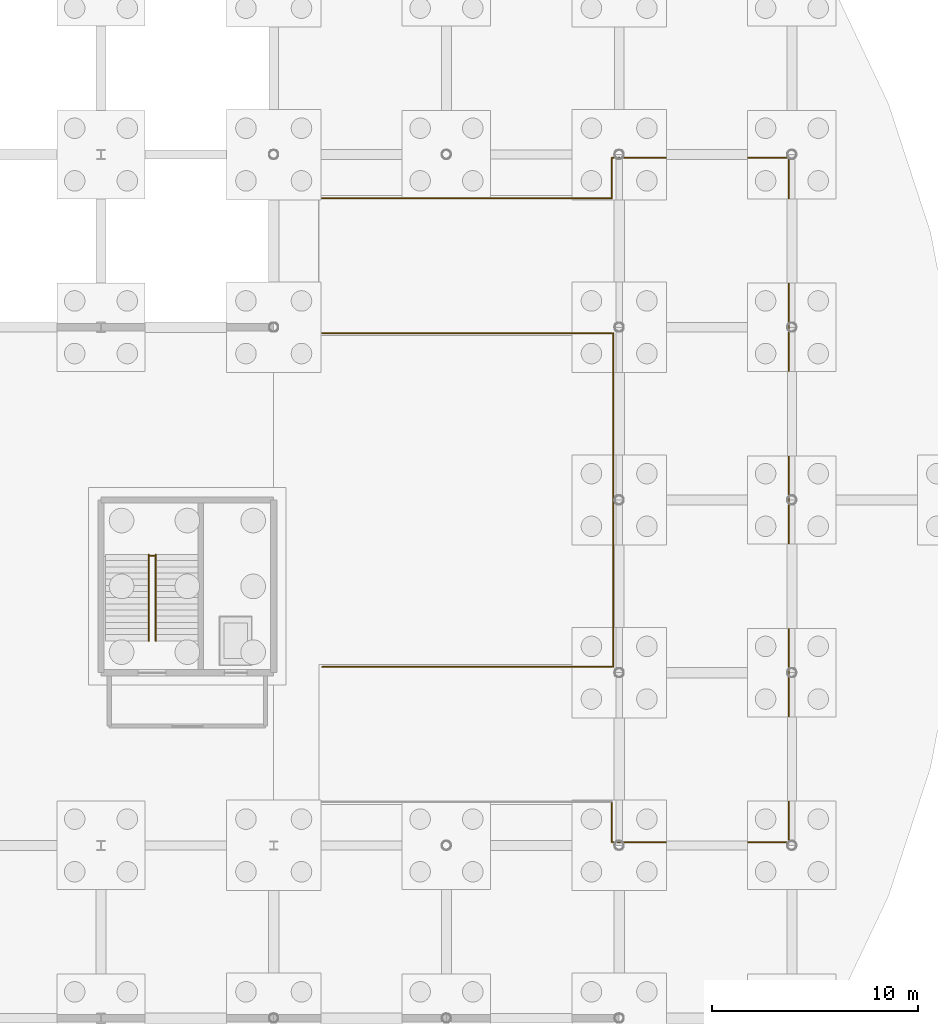
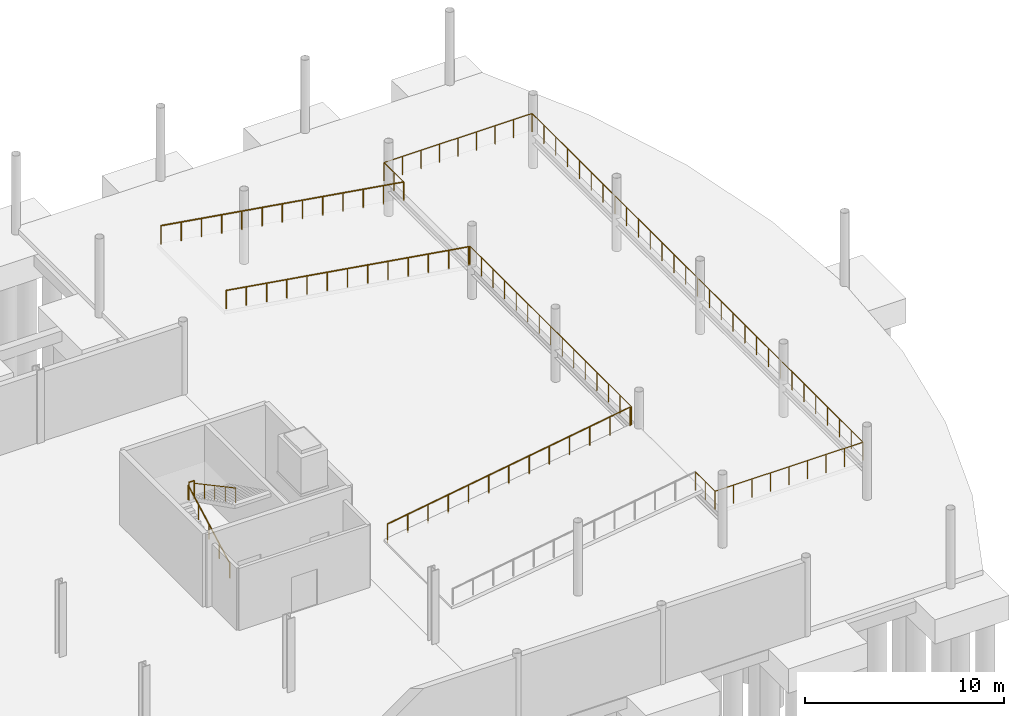
# One storey, part 50 of 51: 8 railings.
"""IFC4 building model written with IfcOpenShell, lengths in metres."""

from ifc_helpers import new_model, si_unit, direction, frame, origin, origin_2d, place, context, subcontext, project, spatial, circle, extrude, material, type_object, element, save


model = new_model("IFC4")

# Units and contexts
model_context = context("Model", 3, precision=1e-05, world=origin(), true_north=direction((0.0, 1.0)))
body_context = subcontext(model_context, "Body", "Model", "MODEL_VIEW")
ifc_project = project(units=[si_unit("LENGTHUNIT", "METRE"), si_unit("AREAUNIT", "SQUARE_METRE"), si_unit("VOLUMEUNIT", "CUBIC_METRE"), si_unit("PLANEANGLEUNIT", "RADIAN"), si_unit("MASSUNIT", "GRAM", prefix="KILO")], contexts=[model_context])

# Site, building, storey
site_placement = place(None, origin())
site = spatial("IfcSite", under=ifc_project, at=site_placement, CompositionType="ELEMENT")
building_placement = place(site_placement, origin())
building = spatial("IfcBuilding", under=site, at=building_placement, Name="Qalvenar Corner Mobility Hub", CompositionType="ELEMENT")
storey_placement = place(building_placement, frame((0.0, 0.0, -4.5)))
storey = spatial("IfcBuildingStorey", under=building, at=storey_placement, Name="B1", CompositionType="ELEMENT", Elevation=-4.5)

# Railings
ifc_material_1 = material(Name="Art Nouveau Bronze-Finished Steel Balustrade", Category="steel")
railing_type_1 = type_object("IfcRailingType", Name="RL-GUARD-110", PredefinedType="GUARDRAIL", material=ifc_material_1)
railing_1_placement = place(storey_placement, frame((136.739990234375, 89.699951171875, 2.25)))
element("IfcRailing", 1, at=railing_1_placement, inside=storey, type_object=railing_type_1, Name="Stair Half-Landing Well Guard ST4-B1", PredefinedType="GUARDRAIL", context=body_context, shape_type="SweptSolid", body=[
    extrude(circle(Radius=0.02392578125, at=origin_2d()), frame((0.0, 0.0, 1.09619140625), z_axis=(1.0, 0.0, 0.0), x_axis=(0.0, 1.0, 0.0)), (0.0, 0.0, 1.0), 0.300048828125),
    extrude(circle(Radius=0.02099609375, at=origin_2d()), origin(), (0.0, 0.0, 1.0), 1.072021484375),
    extrude(circle(Radius=0.02099609375, at=origin_2d()), frame((0.300048828125, 0.0, 0.0)), (0.0, 0.0, 1.0), 1.072021484375),
])
ifc_material_2 = material(Name="Galvanised Steel Deck Edge Barrier", Category="steel")
railing_type_2 = type_object("IfcRailingType", Name="RL-GUARD-115", PredefinedType="GUARDRAIL", material=ifc_material_2)
railing_2_placement = place(storey_placement, frame((145.14990234375, 84.280029296875, 0.0)))
element("IfcRailing", 2, at=railing_2_placement, inside=storey, type_object=railing_type_2, Name="Ramp Guardrail B1-L00-GR1", PredefinedType="GUARDRAIL", context=body_context, shape_type="SweptSolid", body=[
    extrude(circle(Radius=0.02392578125, at=origin_2d()), frame((0.0, 0.0, 1.1259765625), z_axis=(0.987506272963, 0.0, 0.157579696846), x_axis=(0.0, 1.0, 0.0)), (0.0, 0.0, 1.0), 14.278564453125),
    extrude(circle(Radius=0.02099609375, at=origin_2d()), origin(), (0.0, 0.0, 1.0), 1.101806640625),
    extrude(circle(Radius=0.02099609375, at=origin_2d()), frame((1.175048828125, 0.0, 0.1875)), (0.0, 0.0, 1.0), 1.101806640625),
    extrude(circle(Radius=0.02099609375, at=origin_2d()), frame((2.35009765625, 0.0, 0.375)), (0.0, 0.0, 1.0), 1.101806640625),
    extrude(circle(Radius=0.02099609375, at=origin_2d()), frame((3.52490234375, 0.0, 0.5625)), (0.0, 0.0, 1.0), 1.101806640625),
    extrude(circle(Radius=0.02099609375, at=origin_2d()), frame((4.699951171875, 0.0, 0.75)), (0.0, 0.0, 1.0), 1.101806640625),
    extrude(circle(Radius=0.02099609375, at=origin_2d()), frame((5.875, 0.0, 0.9375)), (0.0, 0.0, 1.0), 1.101806640625),
    extrude(circle(Radius=0.02099609375, at=origin_2d()), frame((7.050048828125, 0.0, 1.125)), (0.0, 0.0, 1.0), 1.101806640625),
    extrude(circle(Radius=0.02099609375, at=origin_2d()), frame((8.22509765625, 0.0, 1.3125)), (0.0, 0.0, 1.0), 1.101806640625),
    extrude(circle(Radius=0.02099609375, at=origin_2d()), frame((9.400146484375, 0.0, 1.5)), (0.0, 0.0, 1.0), 1.101806640625),
    extrude(circle(Radius=0.02099609375, at=origin_2d()), frame((10.5751953125, 0.0, 1.6875)), (0.0, 0.0, 1.0), 1.101806640625),
    extrude(circle(Radius=0.02099609375, at=origin_2d()), frame((11.75, 0.0, 1.875)), (0.0, 0.0, 1.0), 1.101806640625),
    extrude(circle(Radius=0.02099609375, at=origin_2d()), frame((12.925048828125, 0.0, 2.0625)), (0.0, 0.0, 1.0), 1.101806640625),
    extrude(circle(Radius=0.02099609375, at=origin_2d()), frame((14.10009765625, 0.0, 2.25)), (0.0, 0.0, 1.0), 1.101806640625),
])
railing_3_placement = place(storey_placement, frame((159.25, 100.52001953125, 2.25)))
element("IfcRailing", 3, at=railing_3_placement, inside=storey, type_object=railing_type_2, Name="Ramp Guardrail B1-L00-GR2", PredefinedType="GUARDRAIL", context=body_context, shape_type="SweptSolid", body=[
    extrude(circle(Radius=0.02392578125, at=origin_2d()), frame((0.0, 0.0, 1.1259765625), z_axis=(-0.987506272963, 0.0, 0.157579696846), x_axis=(0.0, -1.0, 0.0)), (0.0, 0.0, 1.0), 14.278564453125),
    extrude(circle(Radius=0.02099609375, at=origin_2d()), origin(), (0.0, 0.0, 1.0), 1.101806640625),
    extrude(circle(Radius=0.02099609375, at=origin_2d()), frame((-1.175048828125, 0.0, 0.1875)), (0.0, 0.0, 1.0), 1.101806640625),
    extrude(circle(Radius=0.02099609375, at=origin_2d()), frame((-2.35009765625, 0.0, 0.375)), (0.0, 0.0, 1.0), 1.101806640625),
    extrude(circle(Radius=0.02099609375, at=origin_2d()), frame((-3.52490234375, 0.0, 0.5625)), (0.0, 0.0, 1.0), 1.101806640625),
    extrude(circle(Radius=0.02099609375, at=origin_2d()), frame((-4.699951171875, 0.0, 0.75)), (0.0, 0.0, 1.0), 1.101806640625),
    extrude(circle(Radius=0.02099609375, at=origin_2d()), frame((-5.875, 0.0, 0.9375)), (0.0, 0.0, 1.0), 1.101806640625),
    extrude(circle(Radius=0.02099609375, at=origin_2d()), frame((-7.050048828125, 0.0, 1.125)), (0.0, 0.0, 1.0), 1.101806640625),
    extrude(circle(Radius=0.02099609375, at=origin_2d()), frame((-8.22509765625, 0.0, 1.3125)), (0.0, 0.0, 1.0), 1.101806640625),
    extrude(circle(Radius=0.02099609375, at=origin_2d()), frame((-9.400146484375, 0.0, 1.5)), (0.0, 0.0, 1.0), 1.101806640625),
    extrude(circle(Radius=0.02099609375, at=origin_2d()), frame((-10.5751953125, 0.0, 1.6875)), (0.0, 0.0, 1.0), 1.101806640625),
    extrude(circle(Radius=0.02099609375, at=origin_2d()), frame((-11.75, 0.0, 1.875)), (0.0, 0.0, 1.0), 1.101806640625),
    extrude(circle(Radius=0.02099609375, at=origin_2d()), frame((-12.925048828125, 0.0, 2.0625)), (0.0, 0.0, 1.0), 1.101806640625),
    extrude(circle(Radius=0.02099609375, at=origin_2d()), frame((-14.10009765625, 0.0, 2.25)), (0.0, 0.0, 1.0), 1.101806640625),
])
railing_4_placement = place(storey_placement, frame((159.25, 107.080078125, 2.25)))
element("IfcRailing", 4, at=railing_4_placement, inside=storey, type_object=railing_type_2, Name="Ramp Guardrail B1-L00-GR4", PredefinedType="GUARDRAIL", context=body_context, shape_type="SweptSolid", body=[
    extrude(circle(Radius=0.02392578125, at=origin_2d()), frame((0.0, 0.0, 1.1259765625), z_axis=(-0.987506272963, 0.0, 0.157579696846), x_axis=(0.0, -1.0, 0.0)), (0.0, 0.0, 1.0), 14.278564453125),
    extrude(circle(Radius=0.02099609375, at=origin_2d()), origin(), (0.0, 0.0, 1.0), 1.101806640625),
    extrude(circle(Radius=0.02099609375, at=origin_2d()), frame((-1.175048828125, 0.0, 0.1875)), (0.0, 0.0, 1.0), 1.101806640625),
    extrude(circle(Radius=0.02099609375, at=origin_2d()), frame((-2.35009765625, 0.0, 0.375)), (0.0, 0.0, 1.0), 1.101806640625),
    extrude(circle(Radius=0.02099609375, at=origin_2d()), frame((-3.52490234375, 0.0, 0.5625)), (0.0, 0.0, 1.0), 1.101806640625),
    extrude(circle(Radius=0.02099609375, at=origin_2d()), frame((-4.699951171875, 0.0, 0.75)), (0.0, 0.0, 1.0), 1.101806640625),
    extrude(circle(Radius=0.02099609375, at=origin_2d()), frame((-5.875, 0.0, 0.9375)), (0.0, 0.0, 1.0), 1.101806640625),
    extrude(circle(Radius=0.02099609375, at=origin_2d()), frame((-7.050048828125, 0.0, 1.125)), (0.0, 0.0, 1.0), 1.101806640625),
    extrude(circle(Radius=0.02099609375, at=origin_2d()), frame((-8.22509765625, 0.0, 1.3125)), (0.0, 0.0, 1.0), 1.101806640625),
    extrude(circle(Radius=0.02099609375, at=origin_2d()), frame((-9.400146484375, 0.0, 1.5)), (0.0, 0.0, 1.0), 1.101806640625),
    extrude(circle(Radius=0.02099609375, at=origin_2d()), frame((-10.5751953125, 0.0, 1.6875)), (0.0, 0.0, 1.0), 1.101806640625),
    extrude(circle(Radius=0.02099609375, at=origin_2d()), frame((-11.75, 0.0, 1.875)), (0.0, 0.0, 1.0), 1.101806640625),
    extrude(circle(Radius=0.02099609375, at=origin_2d()), frame((-12.925048828125, 0.0, 2.0625)), (0.0, 0.0, 1.0), 1.101806640625),
    extrude(circle(Radius=0.02099609375, at=origin_2d()), frame((-14.10009765625, 0.0, 2.25)), (0.0, 0.0, 1.0), 1.101806640625),
])
railing_5_placement = place(storey_placement, frame((159.25, 77.719970703125, 2.25)))
element("IfcRailing", 5, at=railing_5_placement, inside=storey, type_object=railing_type_2, Name="Ramp Guardrail B1-L00-GRL-OUT", PredefinedType="GUARDRAIL", context=body_context, shape_type="SweptSolid", body=[
    extrude(circle(Radius=0.02392578125, at=origin_2d()), frame((0.0, 0.0, 1.1259765625), z_axis=(0.0, -1.0, 0.0), x_axis=(1.0, 0.0, 0.0)), (0.0, 0.0, 1.0), 1.969970703125),
    extrude(circle(Radius=0.02392578125, at=origin_2d()), frame((0.0, -1.969970703125, 1.1259765625), z_axis=(1.0, 0.0, 0.0), x_axis=(0.0, 1.0, 0.0)), (0.0, 0.0, 1.0), 8.60009765625),
    extrude(circle(Radius=0.02392578125, at=origin_2d()), frame((8.60009765625, -1.969970703125, 1.1259765625), z_axis=(0.0, 1.0, 0.0), x_axis=(-1.0, 0.0, 0.0)), (0.0, 0.0, 1.0), 33.300048828125),
    extrude(circle(Radius=0.02392578125, at=origin_2d()), frame((8.60009765625, 31.330078125, 1.1259765625), z_axis=(-1.0, 0.0, 0.0), x_axis=(0.0, -1.0, 0.0)), (0.0, 0.0, 1.0), 8.60009765625),
    extrude(circle(Radius=0.02392578125, at=origin_2d()), frame((0.0, 31.330078125, 1.1259765625), z_axis=(0.0, -1.0, 0.0), x_axis=(1.0, 0.0, 0.0)), (0.0, 0.0, 1.0), 1.969970703125),
    extrude(circle(Radius=0.02099609375, at=origin_2d()), origin(), (0.0, 0.0, 1.0), 1.101806640625),
    extrude(circle(Radius=0.02099609375, at=origin_2d()), frame((0.0, -0.98486328125, 0.0)), (0.0, 0.0, 1.0), 1.101806640625),
    extrude(circle(Radius=0.02099609375, at=origin_2d()), frame((0.0, -1.969970703125, 0.0)), (0.0, 0.0, 1.0), 1.101806640625),
    extrude(circle(Radius=0.02099609375, at=origin_2d()), frame((1.074951171875, -1.969970703125, 0.0)), (0.0, 0.0, 1.0), 1.101806640625),
    extrude(circle(Radius=0.02099609375, at=origin_2d()), frame((2.14990234375, -1.969970703125, 0.0)), (0.0, 0.0, 1.0), 1.101806640625),
    extrude(circle(Radius=0.02099609375, at=origin_2d()), frame((3.22509765625, -1.969970703125, 0.0)), (0.0, 0.0, 1.0), 1.101806640625),
    extrude(circle(Radius=0.02099609375, at=origin_2d()), frame((4.300048828125, -1.969970703125, 0.0)), (0.0, 0.0, 1.0), 1.101806640625),
    extrude(circle(Radius=0.02099609375, at=origin_2d()), frame((5.375, -1.969970703125, 0.0)), (0.0, 0.0, 1.0), 1.101806640625),
    extrude(circle(Radius=0.02099609375, at=origin_2d()), frame((6.4501953125, -1.969970703125, 0.0)), (0.0, 0.0, 1.0), 1.101806640625),
    extrude(circle(Radius=0.02099609375, at=origin_2d()), frame((7.525146484375, -1.969970703125, 0.0)), (0.0, 0.0, 1.0), 1.101806640625),
    extrude(circle(Radius=0.02099609375, at=origin_2d()), frame((8.60009765625, -1.969970703125, 0.0)), (0.0, 0.0, 1.0), 1.101806640625),
    extrude(circle(Radius=0.02099609375, at=origin_2d()), frame((8.60009765625, -0.78076171875, 0.0)), (0.0, 0.0, 1.0), 1.101806640625),
    extrude(circle(Radius=0.02099609375, at=origin_2d()), frame((8.60009765625, 0.40869140625, 0.0)), (0.0, 0.0, 1.0), 1.101806640625),
    extrude(circle(Radius=0.02099609375, at=origin_2d()), frame((8.60009765625, 1.597900390625, 0.0)), (0.0, 0.0, 1.0), 1.101806640625),
    extrude(circle(Radius=0.02099609375, at=origin_2d()), frame((8.60009765625, 2.787109375, 0.0)), (0.0, 0.0, 1.0), 1.101806640625),
    extrude(circle(Radius=0.02099609375, at=origin_2d()), frame((8.60009765625, 3.9765625, 0.0)), (0.0, 0.0, 1.0), 1.101806640625),
    extrude(circle(Radius=0.02099609375, at=origin_2d()), frame((8.60009765625, 5.165771484375, 0.0)), (0.0, 0.0, 1.0), 1.101806640625),
    extrude(circle(Radius=0.02099609375, at=origin_2d()), frame((8.60009765625, 6.35498046875, 0.0)), (0.0, 0.0, 1.0), 1.101806640625),
    extrude(circle(Radius=0.02099609375, at=origin_2d()), frame((8.60009765625, 7.54443359375, 0.0)), (0.0, 0.0, 1.0), 1.101806640625),
    extrude(circle(Radius=0.02099609375, at=origin_2d()), frame((8.60009765625, 8.733642578125, 0.0)), (0.0, 0.0, 1.0), 1.101806640625),
    extrude(circle(Radius=0.02099609375, at=origin_2d()), frame((8.60009765625, 9.9228515625, 0.0)), (0.0, 0.0, 1.0), 1.101806640625),
    extrude(circle(Radius=0.02099609375, at=origin_2d()), frame((8.60009765625, 11.1123046875, 0.0)), (0.0, 0.0, 1.0), 1.101806640625),
    extrude(circle(Radius=0.02099609375, at=origin_2d()), frame((8.60009765625, 12.301513671875, 0.0)), (0.0, 0.0, 1.0), 1.101806640625),
    extrude(circle(Radius=0.02099609375, at=origin_2d()), frame((8.60009765625, 13.49072265625, 0.0)), (0.0, 0.0, 1.0), 1.101806640625),
    extrude(circle(Radius=0.02099609375, at=origin_2d()), frame((8.60009765625, 14.68017578125, 0.0)), (0.0, 0.0, 1.0), 1.101806640625),
    extrude(circle(Radius=0.02099609375, at=origin_2d()), frame((8.60009765625, 15.869384765625, 0.0)), (0.0, 0.0, 1.0), 1.101806640625),
    extrude(circle(Radius=0.02099609375, at=origin_2d()), frame((8.60009765625, 17.05859375, 0.0)), (0.0, 0.0, 1.0), 1.101806640625),
    extrude(circle(Radius=0.02099609375, at=origin_2d()), frame((8.60009765625, 18.247802734375, 0.0)), (0.0, 0.0, 1.0), 1.101806640625),
    extrude(circle(Radius=0.02099609375, at=origin_2d()), frame((8.60009765625, 19.437255859375, 0.0)), (0.0, 0.0, 1.0), 1.101806640625),
    extrude(circle(Radius=0.02099609375, at=origin_2d()), frame((8.60009765625, 20.62646484375, 0.0)), (0.0, 0.0, 1.0), 1.101806640625),
    extrude(circle(Radius=0.02099609375, at=origin_2d()), frame((8.60009765625, 21.815673828125, 0.0)), (0.0, 0.0, 1.0), 1.101806640625),
    extrude(circle(Radius=0.02099609375, at=origin_2d()), frame((8.60009765625, 23.005126953125, 0.0)), (0.0, 0.0, 1.0), 1.101806640625),
    extrude(circle(Radius=0.02099609375, at=origin_2d()), frame((8.60009765625, 24.1943359375, 0.0)), (0.0, 0.0, 1.0), 1.101806640625),
    extrude(circle(Radius=0.02099609375, at=origin_2d()), frame((8.60009765625, 25.383544921875, 0.0)), (0.0, 0.0, 1.0), 1.101806640625),
    extrude(circle(Radius=0.02099609375, at=origin_2d()), frame((8.60009765625, 26.572998046875, 0.0)), (0.0, 0.0, 1.0), 1.101806640625),
    extrude(circle(Radius=0.02099609375, at=origin_2d()), frame((8.60009765625, 27.76220703125, 0.0)), (0.0, 0.0, 1.0), 1.101806640625),
    extrude(circle(Radius=0.02099609375, at=origin_2d()), frame((8.60009765625, 28.951416015625, 0.0)), (0.0, 0.0, 1.0), 1.101806640625),
    extrude(circle(Radius=0.02099609375, at=origin_2d()), frame((8.60009765625, 30.140869140625, 0.0)), (0.0, 0.0, 1.0), 1.101806640625),
    extrude(circle(Radius=0.02099609375, at=origin_2d()), frame((8.60009765625, 31.330078125, 0.0)), (0.0, 0.0, 1.0), 1.101806640625),
    extrude(circle(Radius=0.02099609375, at=origin_2d()), frame((7.525146484375, 31.330078125, 0.0)), (0.0, 0.0, 1.0), 1.101806640625),
    extrude(circle(Radius=0.02099609375, at=origin_2d()), frame((6.4501953125, 31.330078125, 0.0)), (0.0, 0.0, 1.0), 1.101806640625),
    extrude(circle(Radius=0.02099609375, at=origin_2d()), frame((5.375, 31.330078125, 0.0)), (0.0, 0.0, 1.0), 1.101806640625),
    extrude(circle(Radius=0.02099609375, at=origin_2d()), frame((4.300048828125, 31.330078125, 0.0)), (0.0, 0.0, 1.0), 1.101806640625),
    extrude(circle(Radius=0.02099609375, at=origin_2d()), frame((3.22509765625, 31.330078125, 0.0)), (0.0, 0.0, 1.0), 1.101806640625),
    extrude(circle(Radius=0.02099609375, at=origin_2d()), frame((2.14990234375, 31.330078125, 0.0)), (0.0, 0.0, 1.0), 1.101806640625),
    extrude(circle(Radius=0.02099609375, at=origin_2d()), frame((1.074951171875, 31.330078125, 0.0)), (0.0, 0.0, 1.0), 1.101806640625),
    extrude(circle(Radius=0.02099609375, at=origin_2d()), frame((0.0, 31.330078125, 0.0)), (0.0, 0.0, 1.0), 1.101806640625),
    extrude(circle(Radius=0.02099609375, at=origin_2d()), frame((0.0, 30.34521484375, 0.0)), (0.0, 0.0, 1.0), 1.101806640625),
    extrude(circle(Radius=0.02099609375, at=origin_2d()), frame((0.0, 29.360107421875, 0.0)), (0.0, 0.0, 1.0), 1.101806640625),
])
railing_6_placement = place(storey_placement, frame((159.320068359375, 84.280029296875, 2.25)))
element("IfcRailing", 6, at=railing_6_placement, inside=storey, type_object=railing_type_2, Name="Ramp Guardrail B1-L00-GRL-IN", PredefinedType="GUARDRAIL", context=body_context, shape_type="SweptSolid", body=[
    extrude(circle(Radius=0.02392578125, at=origin_2d()), frame((0.0, 0.0, 1.1259765625), z_axis=(0.0, 1.0, 0.0), x_axis=(-1.0, 0.0, 0.0)), (0.0, 0.0, 1.0), 16.239990234375),
    extrude(circle(Radius=0.02099609375, at=origin_2d()), origin(), (0.0, 0.0, 1.0), 1.101806640625),
    extrude(circle(Radius=0.02099609375, at=origin_2d()), frame((0.0, 1.159912109375, 0.0)), (0.0, 0.0, 1.0), 1.101806640625),
    extrude(circle(Radius=0.02099609375, at=origin_2d()), frame((0.0, 2.320068359375, 0.0)), (0.0, 0.0, 1.0), 1.101806640625),
    extrude(circle(Radius=0.02099609375, at=origin_2d()), frame((0.0, 3.47998046875, 0.0)), (0.0, 0.0, 1.0), 1.101806640625),
    extrude(circle(Radius=0.02099609375, at=origin_2d()), frame((0.0, 4.639892578125, 0.0)), (0.0, 0.0, 1.0), 1.101806640625),
    extrude(circle(Radius=0.02099609375, at=origin_2d()), frame((0.0, 5.800048828125, 0.0)), (0.0, 0.0, 1.0), 1.101806640625),
    extrude(circle(Radius=0.02099609375, at=origin_2d()), frame((0.0, 6.9599609375, 0.0)), (0.0, 0.0, 1.0), 1.101806640625),
    extrude(circle(Radius=0.02099609375, at=origin_2d()), frame((0.0, 8.1201171875, 0.0)), (0.0, 0.0, 1.0), 1.101806640625),
    extrude(circle(Radius=0.02099609375, at=origin_2d()), frame((0.0, 9.280029296875, 0.0)), (0.0, 0.0, 1.0), 1.101806640625),
    extrude(circle(Radius=0.02099609375, at=origin_2d()), frame((0.0, 10.43994140625, 0.0)), (0.0, 0.0, 1.0), 1.101806640625),
    extrude(circle(Radius=0.02099609375, at=origin_2d()), frame((0.0, 11.60009765625, 0.0)), (0.0, 0.0, 1.0), 1.101806640625),
    extrude(circle(Radius=0.02099609375, at=origin_2d()), frame((0.0, 12.760009765625, 0.0)), (0.0, 0.0, 1.0), 1.101806640625),
    extrude(circle(Radius=0.02099609375, at=origin_2d()), frame((0.0, 13.919921875, 0.0)), (0.0, 0.0, 1.0), 1.101806640625),
    extrude(circle(Radius=0.02099609375, at=origin_2d()), frame((0.0, 15.080078125, 0.0)), (0.0, 0.0, 1.0), 1.101806640625),
    extrude(circle(Radius=0.02099609375, at=origin_2d()), frame((0.0, 16.239990234375, 0.0)), (0.0, 0.0, 1.0), 1.101806640625),
])
ifc_material_3 = material(Name="Brushed Stainless Steel Handrail", Category="steel")
railing_type_3 = type_object("IfcRailingType", Name="RL-HAND-092", PredefinedType="HANDRAIL", material=ifc_material_3)
railing_7_placement = place(storey_placement, frame((136.719970703125, 85.550048828125, 0.0)))
element("IfcRailing", 7, at=railing_7_placement, inside=storey, type_object=railing_type_3, Name="Stair Handrail ST4-B1-1", PredefinedType="HANDRAIL", context=body_context, shape_type="SweptSolid", body=[
    extrude(circle(Radius=0.02392578125, at=origin_2d()), frame((0.0, 0.0, 0.89599609375), z_axis=(0.0, 0.881477684796, 0.472225678258), x_axis=(-1.0, 0.0, 0.0)), (0.0, 0.0, 1.0), 4.7646484375),
    extrude(circle(Radius=0.02099609375, at=origin_2d()), origin(), (0.0, 0.0, 1.0), 0.871826171875),
    extrude(circle(Radius=0.02099609375, at=origin_2d()), frame((0.0, 1.050048828125, 0.5625)), (0.0, 0.0, 1.0), 0.871826171875),
    extrude(circle(Radius=0.02099609375, at=origin_2d()), frame((0.0, 2.10009765625, 1.125)), (0.0, 0.0, 1.0), 0.871826171875),
    extrude(circle(Radius=0.02099609375, at=origin_2d()), frame((0.0, 3.14990234375, 1.6875)), (0.0, 0.0, 1.0), 0.871826171875),
    extrude(circle(Radius=0.02099609375, at=origin_2d()), frame((0.0, 4.199951171875, 2.25)), (0.0, 0.0, 1.0), 0.871826171875),
])
railing_8_placement = place(storey_placement, frame((137.06005859375, 89.75, 2.25)))
element("IfcRailing", 8, at=railing_8_placement, inside=storey, type_object=railing_type_3, Name="Stair Handrail ST4-B1-2", PredefinedType="HANDRAIL", context=body_context, shape_type="SweptSolid", body=[
    extrude(circle(Radius=0.02392578125, at=origin_2d()), frame((0.0, 0.0, 0.89599609375), z_axis=(0.0, -0.881477684796, 0.472225678258), x_axis=(1.0, 0.0, 0.0)), (0.0, 0.0, 1.0), 4.7646484375),
    extrude(circle(Radius=0.02099609375, at=origin_2d()), origin(), (0.0, 0.0, 1.0), 0.871826171875),
    extrude(circle(Radius=0.02099609375, at=origin_2d()), frame((0.0, -1.050048828125, 0.5625)), (0.0, 0.0, 1.0), 0.871826171875),
    extrude(circle(Radius=0.02099609375, at=origin_2d()), frame((0.0, -2.10009765625, 1.125)), (0.0, 0.0, 1.0), 0.871826171875),
    extrude(circle(Radius=0.02099609375, at=origin_2d()), frame((0.0, -3.14990234375, 1.6875)), (0.0, 0.0, 1.0), 0.871826171875),
    extrude(circle(Radius=0.02099609375, at=origin_2d()), frame((0.0, -4.199951171875, 2.25)), (0.0, 0.0, 1.0), 0.871826171875),
])

save(model, "model.ifc")
